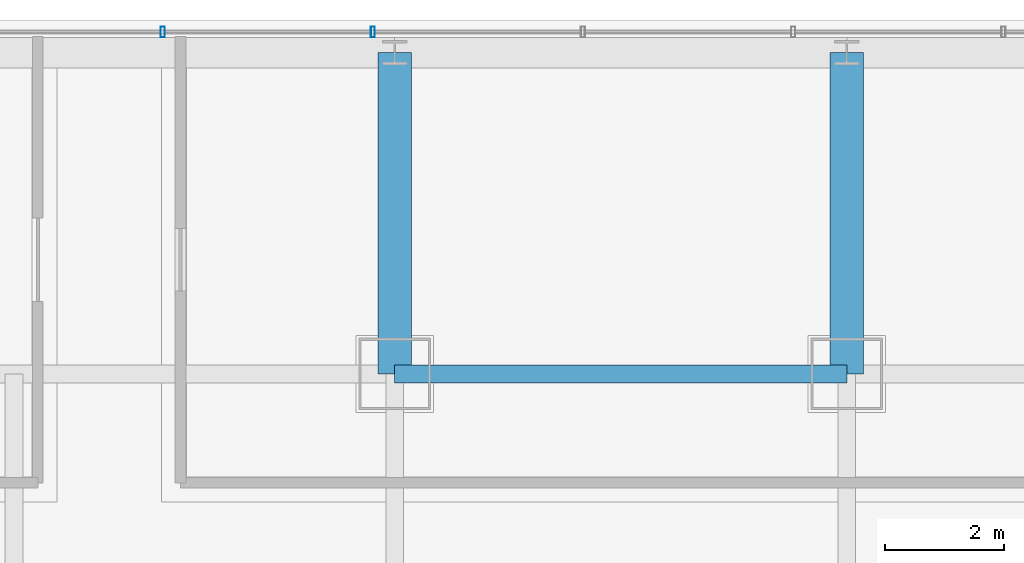
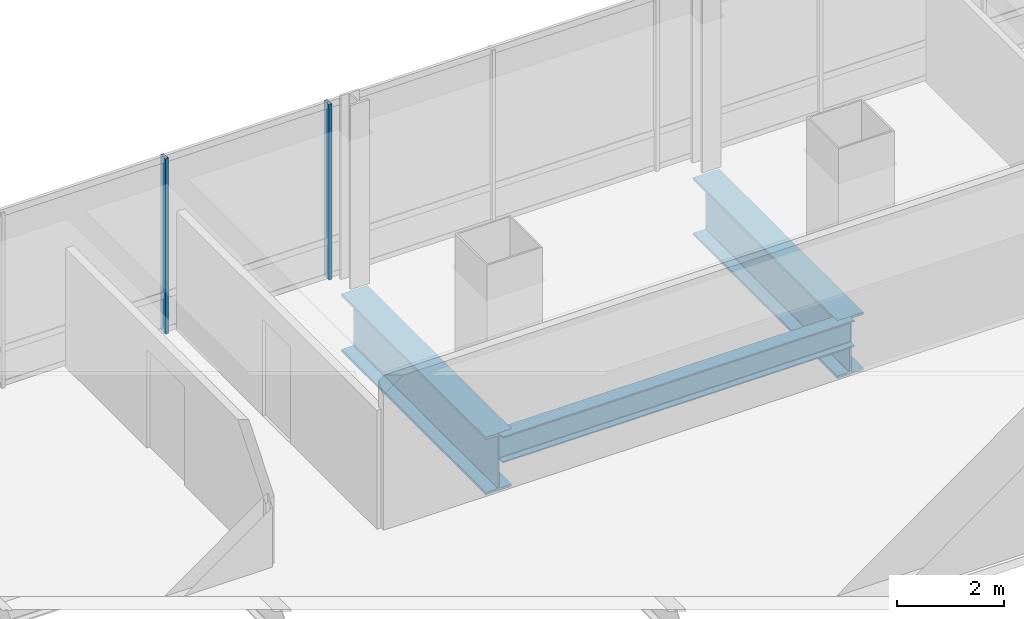
# One storey, part 25 of 41: 3 beams, 2 members, 1 element without a shape of its own.
"""IFC4 building model written with IfcOpenShell, lengths in metres."""

from ifc_helpers import new_model, si_unit, direction, frame, origin, origin_2d, place, context, subcontext, project, spatial, hollow_rectangle, i_section, extrude, material, material_profile, profile_set, type_object, element, aggregate, save


model = new_model("IFC4")

# Units and contexts
model_context = context("Model", 3, precision=1e-05, world=origin(), true_north=direction((0.0, 1.0)))
body_context = subcontext(model_context, "Body", "Model", "MODEL_VIEW")
ifc_project = project(units=[si_unit("LENGTHUNIT", "METRE"), si_unit("AREAUNIT", "SQUARE_METRE"), si_unit("VOLUMEUNIT", "CUBIC_METRE"), si_unit("PLANEANGLEUNIT", "RADIAN"), si_unit("MASSUNIT", "GRAM", prefix="KILO")], contexts=[model_context])

# Site, building, storey
site_placement = place(None, origin())
site = spatial("IfcSite", under=ifc_project, at=site_placement, CompositionType="ELEMENT")
building_placement = place(site_placement, origin())
building = spatial("IfcBuilding", under=site, at=building_placement, Name="Punatoya Terracotta Tower", CompositionType="ELEMENT")
storey_placement = place(building_placement, frame((0.0, 0.0, 292.199951171875)))
storey = spatial("IfcBuildingStorey", under=building, at=storey_placement, Name="L69", CompositionType="ELEMENT", Elevation=292.199951171875)

# Beams
ifc_material_1 = material(Name="Steel S355", Category="steel")
ifc_material_profile_1 = material_profile(ifc_material_1, i_section(OverallWidth=0.300048828125, OverallDepth=0.60009765625, WebThickness=0.015380859375, FlangeThickness=0.030029296875, FilletRadius=0.01806640625, at=origin_2d()))
ifc_profile_set_1 = profile_set([ifc_material_profile_1], Name="Steel S355")
beam_type_1 = type_object("IfcBeamType", Name="BM-PRI-600", PredefinedType="BEAM", material=ifc_profile_set_1)
beam_placement = place(storey_placement, frame((-3.800048828125, 17.5, -0.5), z_axis=(1.0, 0.0, 0.0), x_axis=(0.0, 1.0, 0.0)))
element("IfcBeam", 1, at=beam_placement, inside=storey, type_object=beam_type_1, Name="BM-L69-RG-N2", PredefinedType="BEAM", context=body_context, shape_type="SweptSolid", body=[
    extrude(i_section(OverallWidth=0.300048828125, OverallDepth=0.60009765625, WebThickness=0.015380859375, FlangeThickness=0.030029296875, FilletRadius=0.01806640625, at=origin_2d()), origin(), (0.0, 0.0, 1.0), 7.60009765625),
])
ifc_material_2 = material(Name="Steel S460", Category="steel")
ifc_material_profile_2 = material_profile(ifc_material_2, i_section(OverallWidth=0.56005859375, OverallDepth=1.320068359375, WebThickness=0.035888671875, FlangeThickness=0.054931640625, FilletRadius=0.01806640625, at=origin_2d()))
ifc_profile_set_2 = profile_set([ifc_material_profile_2], Name="Steel S460")
beam_type_2 = type_object("IfcBeamType", Name="BM-TG-BLK", PredefinedType="BEAM", material=ifc_profile_set_2)
for number, where, z_axis, x_axis, name in (
    (2, (-3.800048828125, 17.5, -0.85986328125), (0.0, 1.0, 0.0), (-1.0, 0.0, 0.0), "BM-L69-CANT-N2"),
    (3, (3.800048828125, 17.5, -0.85986328125), (0.0, 1.0, 0.0), (-1.0, 0.0, 0.0), "BM-L69-CANT-N3"),
):
    element("IfcBeam", number, at=place(storey_placement, frame(where, z_axis=z_axis, x_axis=x_axis)), inside=storey, type_object=beam_type_2, Name=name, PredefinedType="BEAM", context=body_context, shape_type="SweptSolid", body=[
        extrude(i_section(OverallWidth=0.56005859375, OverallDepth=1.320068359375, WebThickness=0.035888671875, FlangeThickness=0.054931640625, FilletRadius=0.01806640625, at=origin_2d()), origin(), (0.0, 0.0, 1.0), 5.39990234375),
    ])

# Curtain wall, members
ifc_material_3 = material(Name="Aluminium 6063-T6 + Double Low-E Glass", Category="aluminium")
curtain_wall_type = type_object("IfcCurtainWallType", Name="CW-M3", PredefinedType="NOTDEFINED", material=ifc_material_3)
curtain_wall_placement = place(storey_placement, origin())
curtain_wall = element("IfcCurtainWall", 4, at=curtain_wall_placement, inside=storey, type_object=curtain_wall_type, Name="L69 Curtain Wall CW-L69-N09-1", PredefinedType="NOTDEFINED")
ifc_material_4 = material(Name="Aluminium 6063-T6", Category="aluminium")
ifc_material_profile_3 = material_profile(ifc_material_4, hollow_rectangle(XDim=0.070068359375, YDim=0.179931640625, WallThickness=0.00390625, at=origin_2d()))
ifc_profile_set_3 = profile_set([ifc_material_profile_3], Name="Aluminium 6063-T6")
member_type = type_object("IfcMemberType", Name="CW-MUL-M3", PredefinedType="MULLION", material=ifc_profile_set_3)
member_1_placement = place(storey_placement, frame((-4.1669921875, 23.25, 0.0), z_axis=(0.0, 0.0, 1.0), x_axis=(1.0, 0.0, 0.0)))
member_1 = element("IfcMember", 5, at=member_1_placement, type_object=member_type, Name="CW-L69-N09-1 Mullion 06", PredefinedType="MULLION", context=body_context, shape_type="SweptSolid", body=[
    extrude(hollow_rectangle(XDim=0.070068359375, YDim=0.179931640625, WallThickness=0.00390625, at=origin_2d()), origin(), (0.0, 0.0, 1.0), 4.0),
])
member_2_placement = place(storey_placement, frame((-7.700927734375, 23.25, 0.0), z_axis=(0.0, 0.0, 1.0), x_axis=(1.0, 0.0, 0.0)))
member_2 = element("IfcMember", 6, at=member_2_placement, type_object=member_type, Name="CW-L69-N09-1 Mullion 07", PredefinedType="MULLION", context=body_context, shape_type="SweptSolid", body=[
    extrude(hollow_rectangle(XDim=0.070068359375, YDim=0.179931640625, WallThickness=0.00390625, at=origin_2d()), origin(), (0.0, 0.0, 1.0), 4.0),
])
aggregate(curtain_wall, [member_1, member_2])

save(model, "model.ifc")
